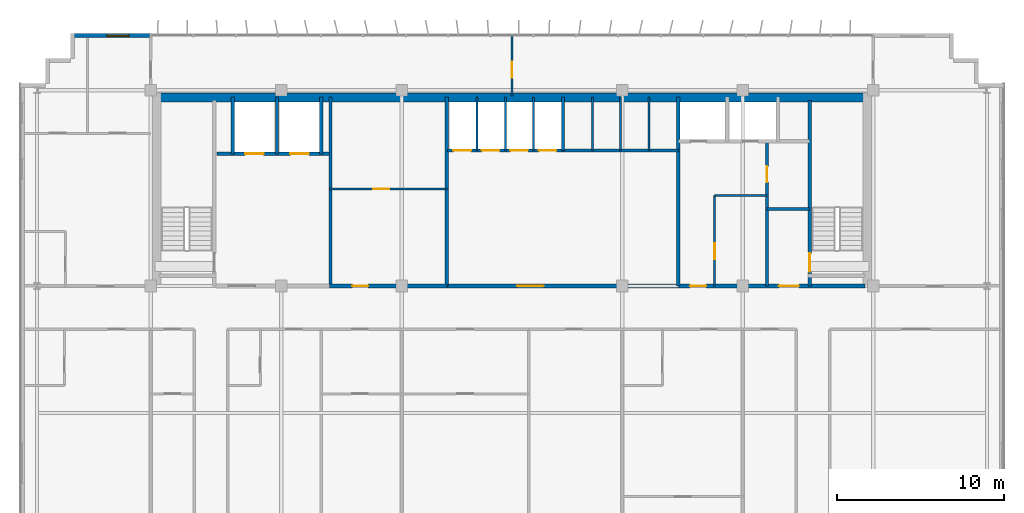
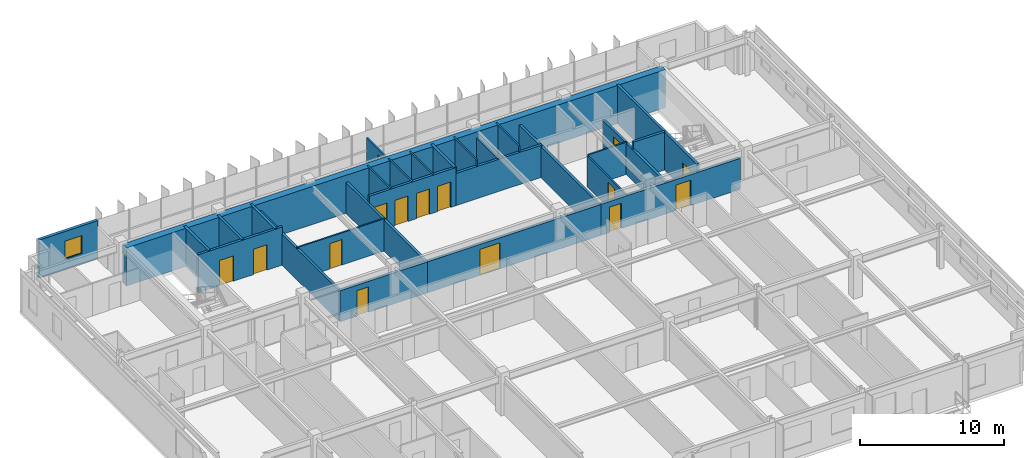
# One storey, part 21 of 24: 28 walls, 15 doors, 1 window, 16 openings.
"""IFC4 building model written with IfcOpenShell, lengths in metres."""

from ifc_helpers import new_model, si_unit, direction, frame, frame_2d, origin, place, context, subcontext, project, spatial, rectangle, extrude, source, transform, mapped, material, layer, layer_set, type_object, element, fill, save


model = new_model("IFC4")

# Units and contexts
model_context = context("Model", 3, precision=1e-05, world=origin(), true_north=direction((0.0, 1.0)))
body_context = subcontext(model_context, "Body", "Model", "MODEL_VIEW")
ifc_project = project(units=[si_unit("LENGTHUNIT", "METRE"), si_unit("AREAUNIT", "SQUARE_METRE"), si_unit("VOLUMEUNIT", "CUBIC_METRE"), si_unit("PLANEANGLEUNIT", "RADIAN"), si_unit("MASSUNIT", "GRAM", prefix="KILO")], contexts=[model_context])

# Site, building, storey
site_placement = place(None, origin())
site = spatial("IfcSite", under=ifc_project, at=site_placement, CompositionType="ELEMENT")
building_placement = place(site_placement, origin())
building = spatial("IfcBuilding", under=site, at=building_placement, Name="Trelvane Seafront Commons", CompositionType="ELEMENT")
storey_placement = place(building_placement, frame((0.0, 0.0, 178.89990234375)))
storey = spatial("IfcBuildingStorey", under=building, at=storey_placement, Name="L47", CompositionType="ELEMENT", Elevation=178.89990234375)

# Wall, opening, window
ifc_material_1 = material(Name="Precast concrete C40/50", Category="concrete")
ifc_layer_1 = layer(ifc_material_1, 0.239990234375, Name="ARCH-WALL-EXT240")
ifc_layer_set_1 = layer_set([ifc_layer_1], Name="Precast concrete C40/50")
wall_type_1 = type_object("IfcWallType", Name="ARCH-WALL-EXT240", PredefinedType="SOLIDWALL", material=ifc_layer_set_1)
wall_1_placement = place(storey_placement, frame((10.89990234375, 48.3701171875, 0.0), z_axis=(0.0, 0.0, 1.0), x_axis=(1.0, 0.0, 0.0)))
wall_1 = element("IfcWall", 1, at=wall_1_placement, inside=storey, type_object=wall_type_1, Name="EW-L47-NW-0933", PredefinedType="SOLIDWALL", context=body_context, shape_type="SweptSolid", body=[
    extrude(rectangle(XDim=4.7001953125, YDim=0.239990234375, at=frame_2d((2.35009765625, 0.0))), origin(), (0.0, 0.0, 1.0), 3.22021484375),
])
opening_1_placement = place(wall_1_placement, frame((2.056884765625, 0.0, 0.89990234375)))
opening_1 = element("IfcOpeningElement", 2, at=opening_1_placement, cuts=wall_1, Name="Opening W09", PredefinedType="OPENING", context=body_context, shape_type="SweptSolid", body=[
    extrude(rectangle(XDim=1.35009765625, YDim=1.5, at=frame_2d((0.675048828125, 0.75))), frame((0.0, 0.1298828125, 0.0), z_axis=(0.0, -1.0, 0.0), x_axis=(1.0, 0.0, 0.0)), (0.0, 0.0, 1.0), 0.260009765625),
])
ifc_material_2 = material(Name="Low-E coastal double glazing", Category="glass")
window_type = type_object("IfcWindowType", Name="ARCH-WIN-W09", PartitioningType="SINGLE_PANEL", PredefinedType="WINDOW", material=ifc_material_2)
shared_shape_1 = source(origin(), body_context, "Body", "SweptSolid", [
    extrude(rectangle(XDim=1.35009765625, YDim=1.5, at=frame_2d((0.675048828125, 0.75))), frame((0.0, 0.030029296875, 0.0), z_axis=(0.0, -1.0, 0.0), x_axis=(1.0, 0.0, 0.0)), (0.0, 0.0, 1.0), 0.06005859375),
])
window_placement = place(opening_1_placement, origin())
window = element("IfcWindow", 3, at=window_placement, inside=storey, type_object=window_type, Name="WIN-L47-01112", OverallHeight=1.5, OverallWidth=1.35009765625, PartitioningType="SINGLE_PANEL", PredefinedType="WINDOW", context=body_context, shape_type="MappedRepresentation", body=[
    mapped(shared_shape_1, transform((0.0, 0.0, 0.0), x_axis=(1.0, 0.0, 0.0), y_axis=(0.0, 1.0, 0.0), z_axis=(0.0, 0.0, 1.0), scale=1.0)),
])
fill(opening_1, window)

# Wall, opening, door
ifc_material_3 = material(Name="Concrete C40/50", Category="concrete")
ifc_layer_2 = layer(ifc_material_3, 0.199951171875, Name="ARCH-WALL-FIRE200")
ifc_layer_set_2 = layer_set([ifc_layer_2], Name="Concrete C40/50")
wall_type_2 = type_object("IfcWallType", Name="ARCH-WALL-FIRE200", PredefinedType="PARTITIONING", material=ifc_layer_set_2)
wall_2_placement = place(storey_placement, frame((52.449951171875, 33.39990234375, 0.0), z_axis=(0.0, 0.0, 1.0), x_axis=(0.0, 1.0, 0.0)))
wall_2 = element("IfcWall", 4, at=wall_2_placement, inside=storey, type_object=wall_type_2, Name="W-L47-ST2V-W-031", PredefinedType="PARTITIONING", context=body_context, shape_type="SweptSolid", body=[
    extrude(rectangle(XDim=8.650146484375, YDim=0.199951171875, at=frame_2d((4.3251953125, 0.0))), origin(), (0.0, 0.0, 1.0), 2.6201171875),
])
opening_2_placement = place(wall_2_placement, frame((6.199951171875, 0.0, 0.0)))
opening_2 = element("IfcOpeningElement", 5, at=opening_2_placement, cuts=wall_2, Name="Opening FD-L47-15", PredefinedType="OPENING", context=body_context, shape_type="SweptSolid", body=[
    extrude(rectangle(XDim=0.949951171875, YDim=2.14990234375, at=frame_2d((0.47509765625, 1.074951171875))), frame((0.0, 0.10986328125, 0.0), z_axis=(0.0, -1.0, 0.0), x_axis=(1.0, 0.0, 0.0)), (0.0, 0.0, 1.0), 0.219970703125),
])
ifc_material_4 = material(Name="Powder-coated aluminium frame", Category="aluminium")
door_type_1 = type_object("IfcDoorType", Name="ARCH-DR-FD60-950", OperationType="NOTDEFINED", PredefinedType="DOOR", material=ifc_material_4)
shared_shape_2 = source(origin(), body_context, "Body", "SweptSolid", [
    extrude(rectangle(XDim=0.949951171875, YDim=2.14990234375, at=frame_2d((0.47509765625, 1.074951171875))), frame((0.0, 0.02490234375, 0.0), z_axis=(0.0, -1.0, 0.0), x_axis=(1.0, 0.0, 0.0)), (0.0, 0.0, 1.0), 0.050048828125),
])
door_1_placement = place(opening_2_placement, origin())
door_1 = element("IfcDoor", 6, at=door_1_placement, inside=storey, type_object=door_type_1, Name="L47 Cleaner Store Door", OperationType="SINGLE_SWING_LEFT", OverallHeight=2.14990234375, OverallWidth=0.949951171875, PredefinedType="DOOR", context=body_context, shape_type="MappedRepresentation", body=[
    mapped(shared_shape_2, transform((0.0, 0.0, 0.0), x_axis=(1.0, 0.0, 0.0), y_axis=(0.0, 1.0, 0.0), z_axis=(0.0, 0.0, 1.0), scale=1.0)),
])
fill(opening_2, door_1)

# Wall
wall_3_placement = place(storey_placement, frame((52.449951171875, 38.0, 0.0), z_axis=(0.0, 0.0, 1.0), x_axis=(1.0, 0.0, 0.0)))
element("IfcWall", 7, at=wall_3_placement, inside=storey, type_object=wall_type_2, Name="W-L47-ST2V-N-032", PredefinedType="PARTITIONING", context=body_context, shape_type="SweptSolid", body=[
    extrude(rectangle(XDim=2.550048828125, YDim=0.199951171875, at=frame_2d((1.27490234375, 0.0))), origin(), (0.0, 0.0, 1.0), 3.22021484375),
])

# Wall, opening, door
ifc_layer_3 = layer(ifc_material_3, 0.25, Name="ARCH-WALL-FIRE250")
ifc_layer_set_3 = layer_set([ifc_layer_3], Name="Concrete C40/50")
wall_type_3 = type_object("IfcWallType", Name="ARCH-WALL-FIRE250", PredefinedType="PARTITIONING", material=ifc_layer_set_3)
wall_4_placement = place(storey_placement, frame((26.300048828125, 33.39990234375, 0.0), z_axis=(0.0, 0.0, 1.0), x_axis=(1.0, 0.0, 0.0)))
wall_4 = element("IfcWall", 8, at=wall_4_placement, inside=storey, type_object=wall_type_3, Name="W-L47-CS-FPL-026", PredefinedType="PARTITIONING", context=body_context, shape_type="SweptSolid", body=[
    extrude(rectangle(XDim=7.0, YDim=0.25, at=frame_2d((3.5, 0.0))), origin(), (0.0, 0.0, 1.0), 2.6201171875),
])
opening_3_placement = place(wall_4_placement, frame((1.35009765625, 0.0, 0.0)))
opening_3 = element("IfcOpeningElement", 9, at=opening_3_placement, cuts=wall_4, Name="Opening D-L47-11", PredefinedType="OPENING", context=body_context, shape_type="SweptSolid", body=[
    extrude(rectangle(XDim=0.949951171875, YDim=2.14990234375, at=frame_2d((0.47509765625, 1.074951171875))), frame((0.0, 0.135009765625, 0.0), z_axis=(0.0, -1.0, 0.0), x_axis=(1.0, 0.0, 0.0)), (0.0, 0.0, 1.0), 0.27001953125),
])
ifc_material_5 = material(Name="Acoustic timber door leaf", Category="wood")
door_type_2 = type_object("IfcDoorType", Name="ARCH-DR-INT950", OperationType="NOTDEFINED", PredefinedType="DOOR", material=ifc_material_5)
door_2_placement = place(opening_3_placement, origin())
door_2 = element("IfcDoor", 10, at=door_2_placement, inside=storey, type_object=door_type_2, Name="L47 Floor Pantry Entrance Door", OperationType="SINGLE_SWING_LEFT", OverallHeight=2.14990234375, OverallWidth=0.949951171875, PredefinedType="DOOR", context=body_context, shape_type="MappedRepresentation", body=[
    mapped(shared_shape_2, transform((0.0, 0.0, 0.0), x_axis=(1.0, 0.0, 0.0), y_axis=(0.0, 1.0, 0.0), z_axis=(0.0, 0.0, 1.0), scale=1.0)),
])
fill(opening_3, door_2)

wall_5_placement = place(storey_placement, frame((33.300048828125, 33.39990234375, 0.0), z_axis=(0.0, 0.0, 1.0), x_axis=(1.0, 0.0, 0.0)))
wall_5 = element("IfcWall", 11, at=wall_5_placement, inside=storey, type_object=wall_type_3, Name="W-L47-CS-PAX-027", PredefinedType="PARTITIONING", context=body_context, shape_type="SweptSolid", body=[
    extrude(rectangle(XDim=13.849853515625, YDim=0.25, at=frame_2d((6.9248046875, 0.0))), origin(), (0.0, 0.0, 1.0), 2.6201171875),
])
opening_4_placement = place(wall_5_placement, frame((4.199951171875, 0.0, 0.0)))
opening_4 = element("IfcOpeningElement", 12, at=opening_4_placement, cuts=wall_5, Name="Opening FD-L47-12", PredefinedType="OPENING", context=body_context, shape_type="SweptSolid", body=[
    extrude(rectangle(XDim=1.60009765625, YDim=2.199951171875, at=frame_2d((0.800048828125, 1.10009765625))), frame((0.0, 0.135009765625, 0.0), z_axis=(0.0, -1.0, 0.0), x_axis=(1.0, 0.0, 0.0)), (0.0, 0.0, 1.0), 0.27001953125),
])
door_type_3 = type_object("IfcDoorType", Name="ARCH-DR-FD60-1600", OperationType="DOUBLE_DOOR_SINGLE_SWING", PredefinedType="DOOR", material=ifc_material_4)
shared_shape_3 = source(origin(), body_context, "Body", "SweptSolid", [
    extrude(rectangle(XDim=1.60009765625, YDim=2.199951171875, at=frame_2d((0.800048828125, 1.10009765625))), frame((0.0, 0.02490234375, 0.0), z_axis=(0.0, -1.0, 0.0), x_axis=(1.0, 0.0, 0.0)), (0.0, 0.0, 1.0), 0.050048828125),
])
door_3_placement = place(opening_4_placement, origin())
door_3 = element("IfcDoor", 13, at=door_3_placement, inside=storey, type_object=door_type_3, Name="L47 Passenger Lift Lobby Double Door", OperationType="DOUBLE_DOOR_SINGLE_SWING", OverallHeight=2.199951171875, OverallWidth=1.60009765625, PredefinedType="DOOR", context=body_context, shape_type="MappedRepresentation", body=[
    mapped(shared_shape_3, transform((0.0, 0.0, 0.0), x_axis=(1.0, 0.0, 0.0), y_axis=(0.0, 1.0, 0.0), z_axis=(0.0, 0.0, 1.0), scale=1.0)),
])
fill(opening_4, door_3)

# Wall, openings, doors
wall_6_placement = place(storey_placement, frame((47.14990234375, 33.39990234375, 0.0), z_axis=(0.0, 0.0, 1.0), x_axis=(1.0, 0.0, 0.0)))
wall_6 = element("IfcWall", 14, at=wall_6_placement, inside=storey, type_object=wall_type_3, Name="W-L47-CS-EAST-035", PredefinedType="PARTITIONING", context=body_context, shape_type="SweptSolid", body=[
    extrude(rectangle(XDim=11.150146484375, YDim=0.25, at=frame_2d((5.5751953125, 0.0))), origin(), (0.0, 0.0, 1.0), 2.6201171875),
])
opening_5_placement = place(wall_6_placement, frame((0.699951171875, 0.0, 0.0)))
opening_5 = element("IfcOpeningElement", 15, at=opening_5_placement, cuts=wall_6, Name="Opening FD-L47-17", PredefinedType="OPENING", context=body_context, shape_type="SweptSolid", body=[
    extrude(rectangle(XDim=0.949951171875, YDim=2.14990234375, at=frame_2d((0.47509765625, 1.074951171875))), frame((0.0, 0.135009765625, 0.0), z_axis=(0.0, -1.0, 0.0), x_axis=(1.0, 0.0, 0.0)), (0.0, 0.0, 1.0), 0.27001953125),
])
opening_6_placement = place(wall_6_placement, frame((6.0, 0.0, 0.0)))
opening_6 = element("IfcOpeningElement", 16, at=opening_6_placement, cuts=wall_6, Name="Opening FD-L47-18", PredefinedType="OPENING", context=body_context, shape_type="SweptSolid", body=[
    extrude(rectangle(XDim=1.199951171875, YDim=2.14990234375, at=frame_2d((0.60009765625, 1.074951171875))), frame((0.0, 0.135009765625, 0.0), z_axis=(0.0, -1.0, 0.0), x_axis=(1.0, 0.0, 0.0)), (0.0, 0.0, 1.0), 0.27001953125),
])
door_4_placement = place(opening_5_placement, origin())
door_4 = element("IfcDoor", 17, at=door_4_placement, inside=storey, type_object=door_type_1, Name="L47 Core Service Lobby Door", OperationType="SINGLE_SWING_LEFT", OverallHeight=2.14990234375, OverallWidth=0.949951171875, PredefinedType="DOOR", context=body_context, shape_type="MappedRepresentation", body=[
    mapped(shared_shape_2, transform((0.0, 0.0, 0.0), x_axis=(1.0, 0.0, 0.0), y_axis=(0.0, 1.0, 0.0), z_axis=(0.0, 0.0, 1.0), scale=1.0)),
])
fill(opening_5, door_4)
door_type_4 = type_object("IfcDoorType", Name="ARCH-DR-FD60-1200", OperationType="NOTDEFINED", PredefinedType="DOOR", material=ifc_material_4)
shared_shape_4 = source(origin(), body_context, "Body", "SweptSolid", [
    extrude(rectangle(XDim=1.199951171875, YDim=2.14990234375, at=frame_2d((0.60009765625, 1.074951171875))), frame((0.0, 0.02490234375, 0.0), z_axis=(0.0, -1.0, 0.0), x_axis=(1.0, 0.0, 0.0)), (0.0, 0.0, 1.0), 0.050048828125),
])
door_5_placement = place(opening_6_placement, origin())
door_5 = element("IfcDoor", 18, at=door_5_placement, inside=storey, type_object=door_type_4, Name="L47 East Stair Vestibule Fire Door", OperationType="SINGLE_SWING_RIGHT", OverallHeight=2.14990234375, OverallWidth=1.199951171875, PredefinedType="DOOR", context=body_context, shape_type="MappedRepresentation", body=[
    mapped(shared_shape_4, transform((0.0, 0.0, 0.0), x_axis=(1.0, 0.0, 0.0), y_axis=(0.0, 1.0, 0.0), z_axis=(0.0, 0.0, 1.0), scale=1.0)),
])
fill(opening_6, door_5)

# Wall, opening, door
ifc_material_6 = material(Name="Gypsum Drywall Acoustic Partition")
ifc_layer_4 = layer(ifc_material_6, 0.1201171875, Name="ARCH-WALL-PART120")
ifc_layer_set_4 = layer_set([ifc_layer_4], Name="Gypsum Drywall Acoustic Partition")
wall_type_4 = type_object("IfcWallType", Name="ARCH-WALL-PART120", PredefinedType="PARTITIONING", material=ifc_layer_set_4)
wall_7_placement = place(storey_placement, frame((26.300048828125, 39.199951171875, 0.0), z_axis=(0.0, 0.0, 1.0), x_axis=(1.0, 0.0, 0.0)))
wall_7 = element("IfcWall", 19, at=wall_7_placement, inside=storey, type_object=wall_type_4, Name="W-L47-FREED-PL-MID-014", PredefinedType="PARTITIONING", context=body_context, shape_type="SweptSolid", body=[
    extrude(rectangle(XDim=7.0, YDim=0.1201171875, at=frame_2d((3.5, 0.0))), origin(), (0.0, 0.0, 1.0), 2.72021484375),
])
opening_7_placement = place(wall_7_placement, frame((2.60009765625, 0.0, 0.0)))
opening_7 = element("IfcOpeningElement", 20, at=opening_7_placement, cuts=wall_7, Name="Opening D-L47-06", PredefinedType="OPENING", context=body_context, shape_type="SweptSolid", body=[
    extrude(rectangle(XDim=0.949951171875, YDim=2.14990234375, at=frame_2d((0.47509765625, 1.074951171875))), frame((0.0, 0.070068359375, 0.0), z_axis=(0.0, -1.0, 0.0), x_axis=(1.0, 0.0, 0.0)), (0.0, 0.0, 1.0), 0.14013671875),
])
door_6_placement = place(opening_7_placement, origin())
door_6 = element("IfcDoor", 21, at=door_6_placement, inside=storey, type_object=door_type_2, Name="L47 Housekeeping Store Door", OperationType="SINGLE_SWING_RIGHT", OverallHeight=2.14990234375, OverallWidth=0.949951171875, PredefinedType="DOOR", context=body_context, shape_type="MappedRepresentation", body=[
    mapped(shared_shape_2, transform((0.0, 0.0, 0.0), x_axis=(1.0, 0.0, 0.0), y_axis=(0.0, 1.0, 0.0), z_axis=(0.0, 0.0, 1.0), scale=1.0)),
])
fill(opening_7, door_6)

# Walls
for number, where, z_axis, x_axis, name in (
    (22, (35.10009765625, 41.5, 0.0), (0.0, 0.0, 1.0), (0.0, 1.0, 0.0), "W-L47-PM-DIV1-017"),
    (23, (36.800048828125, 41.5, 0.0), (0.0, 0.0, 1.0), (0.0, 1.0, 0.0), "W-L47-PM-DIV2-018"),
    (24, (38.5, 41.5, 0.0), (0.0, 0.0, 1.0), (0.0, 1.0, 0.0), "W-L47-PM-DIV3-019"),
    (25, (42.0, 41.5, 0.0), (0.0, 0.0, 1.0), (0.0, 1.0, 0.0), "W-L47-PH-DIV1-022"),
):
    element("IfcWall", number, at=place(storey_placement, frame(where, z_axis=z_axis, x_axis=x_axis)), inside=storey, type_object=wall_type_4, Name=name, PredefinedType="PARTITIONING", context=body_context, shape_type="SweptSolid", body=[
        extrude(rectangle(XDim=3.199951171875, YDim=0.1201171875, at=frame_2d((1.60009765625, 0.0))), origin(), (0.0, 0.0, 1.0), 3.22021484375),
    ])
wall_8_placement = place(storey_placement, frame((43.699951171875, 41.5, 0.0), z_axis=(0.0, 0.0, 1.0), x_axis=(0.0, 1.0, 0.0)))
element("IfcWall", 26, at=wall_8_placement, inside=storey, type_object=wall_type_4, Name="W-L47-PH-DIV2-023", PredefinedType="PARTITIONING", context=body_context, shape_type="SweptSolid", body=[
    extrude(rectangle(XDim=3.199951171875, YDim=0.1201171875, at=frame_2d((1.60009765625, 0.0))), origin(), (0.0, 0.0, 1.0), 2.72021484375),
])
wall_9_placement = place(storey_placement, frame((45.39990234375, 41.5, 0.0), z_axis=(0.0, 0.0, 1.0), x_axis=(0.0, 1.0, 0.0)))
element("IfcWall", 27, at=wall_9_placement, inside=storey, type_object=wall_type_4, Name="W-L47-PH-DIV3-024", PredefinedType="PARTITIONING", context=body_context, shape_type="SweptSolid", body=[
    extrude(rectangle(XDim=3.199951171875, YDim=0.1201171875, at=frame_2d((1.60009765625, 0.0))), origin(), (0.0, 0.0, 1.0), 3.22021484375),
])

# Wall, opening, door
wall_10_placement = place(storey_placement, frame((49.320068359375, 33.39990234375, 0.0), z_axis=(0.0, 0.0, 1.0), x_axis=(0.0, 1.0, 0.0)))
wall_10 = element("IfcWall", 28, at=wall_10_placement, inside=storey, type_object=wall_type_4, Name="W-L47-CYC2-V-033", PredefinedType="PARTITIONING", context=body_context, shape_type="SweptSolid", body=[
    extrude(rectangle(XDim=5.420166015625, YDim=0.1201171875, at=frame_2d((2.7099609375, 0.0))), origin(), (0.0, 0.0, 1.0), 2.6201171875),
])
opening_8_placement = place(wall_10_placement, frame((1.60009765625, 0.0, 0.0)))
opening_8 = element("IfcOpeningElement", 29, at=opening_8_placement, cuts=wall_10, Name="Opening D-L47-16", PredefinedType="OPENING", context=body_context, shape_type="SweptSolid", body=[
    extrude(rectangle(XDim=0.949951171875, YDim=2.14990234375, at=frame_2d((0.47509765625, 1.074951171875))), frame((0.0, 0.070068359375, 0.0), z_axis=(0.0, -1.0, 0.0), x_axis=(1.0, 0.0, 0.0)), (0.0, 0.0, 1.0), 0.14013671875),
])
door_7_placement = place(opening_8_placement, origin())
door_7 = element("IfcDoor", 30, at=door_7_placement, inside=storey, type_object=door_type_2, Name="L47 Accessible WC Door", OperationType="SINGLE_SWING_RIGHT", OverallHeight=2.14990234375, OverallWidth=0.949951171875, PredefinedType="DOOR", context=body_context, shape_type="MappedRepresentation", body=[
    mapped(shared_shape_2, transform((0.0, 0.0, 0.0), x_axis=(1.0, 0.0, 0.0), y_axis=(0.0, 1.0, 0.0), z_axis=(0.0, 0.0, 1.0), scale=1.0)),
])
fill(opening_8, door_7)

# Wall
wall_11_placement = place(storey_placement, frame((49.320068359375, 38.820068359375, 0.0), z_axis=(0.0, 0.0, 1.0), x_axis=(1.0, 0.0, 0.0)))
element("IfcWall", 31, at=wall_11_placement, inside=storey, type_object=wall_type_4, Name="W-L47-CYC2-H-034", PredefinedType="PARTITIONING", context=body_context, shape_type="SweptSolid", body=[
    extrude(rectangle(XDim=3.1298828125, YDim=0.1201171875, at=frame_2d((1.56494140625, 0.0))), origin(), (0.0, 0.0, 1.0), 2.72021484375),
])

# Wall, opening, door
wall_12_placement = place(storey_placement, frame((37.199951171875, 44.75, 0.0), z_axis=(0.0, 0.0, 1.0), x_axis=(0.0, 1.0, 0.0)))
wall_12 = element("IfcWall", 32, at=wall_12_placement, inside=storey, type_object=wall_type_4, Name="W-L47-N-MID-DV-043", PredefinedType="PARTITIONING", context=body_context, shape_type="SweptSolid", body=[
    extrude(rectangle(XDim=3.610107421875, YDim=0.1201171875, at=frame_2d((1.80517578125, 0.0))), origin(), (0.0, 0.0, 1.0), 2.6201171875),
])
opening_9_placement = place(wall_12_placement, frame((1.10009765625, 0.0, 0.0)))
opening_9 = element("IfcOpeningElement", 33, at=opening_9_placement, cuts=wall_12, Name="Opening D-L47-24", PredefinedType="OPENING", context=body_context, shape_type="SweptSolid", body=[
    extrude(rectangle(XDim=0.949951171875, YDim=2.14990234375, at=frame_2d((0.47509765625, 1.074951171875))), frame((0.0, 0.070068359375, 0.0), z_axis=(0.0, -1.0, 0.0), x_axis=(1.0, 0.0, 0.0)), (0.0, 0.0, 1.0), 0.14013671875),
])
door_8_placement = place(opening_9_placement, origin())
door_8 = element("IfcDoor", 34, at=door_8_placement, inside=storey, type_object=door_type_2, Name="L47 Door 24", OperationType="SINGLE_SWING_RIGHT", OverallHeight=2.14990234375, OverallWidth=0.949951171875, PredefinedType="DOOR", context=body_context, shape_type="MappedRepresentation", body=[
    mapped(shared_shape_2, transform((0.0, 0.0, 0.0), x_axis=(1.0, 0.0, 0.0), y_axis=(0.0, 1.0, 0.0), z_axis=(0.0, 0.0, 1.0), scale=1.0)),
])
fill(opening_9, door_8)

# Wall, openings, doors
ifc_layer_5 = layer(ifc_material_3, 0.199951171875, Name="ARCH-WALL-SHAFT200")
ifc_layer_set_5 = layer_set([ifc_layer_5], Name="Concrete C40/50")
wall_type_5 = type_object("IfcWallType", Name="ARCH-WALL-SHAFT200", PredefinedType="SOLIDWALL", material=ifc_layer_set_5)
wall_13_placement = place(storey_placement, frame((19.550048828125, 41.300048828125, 0.0), z_axis=(0.0, 0.0, 1.0), x_axis=(1.0, 0.0, 0.0)))
wall_13 = element("IfcWall", 35, at=wall_13_placement, inside=storey, type_object=wall_type_5, Name="W-L47-FFL-FRONT-008", PredefinedType="SOLIDWALL", context=body_context, shape_type="SweptSolid", body=[
    extrude(rectangle(XDim=6.75, YDim=0.199951171875, at=frame_2d((3.375, 0.0))), origin(), (0.0, 0.0, 1.0), 3.22021484375),
])
opening_10_placement = place(wall_13_placement, frame((1.699951171875, 0.0, 0.0)))
opening_10 = element("IfcOpeningElement", 36, at=opening_10_placement, cuts=wall_13, Name="Opening LD-FF1-L47", PredefinedType="OPENING", context=body_context, shape_type="SweptSolid", body=[
    extrude(rectangle(XDim=1.10009765625, YDim=2.14990234375, at=frame_2d((0.550048828125, 1.074951171875))), frame((0.0, 0.10986328125, 0.0), z_axis=(0.0, -1.0, 0.0), x_axis=(1.0, 0.0, 0.0)), (0.0, 0.0, 1.0), 0.219970703125),
])
opening_11_placement = place(wall_13_placement, frame((4.39990234375, 0.0, 0.0)))
opening_11 = element("IfcOpeningElement", 37, at=opening_11_placement, cuts=wall_13, Name="Opening LD-FF2-L47", PredefinedType="OPENING", context=body_context, shape_type="SweptSolid", body=[
    extrude(rectangle(XDim=1.10009765625, YDim=2.14990234375, at=frame_2d((0.550048828125, 1.074951171875))), frame((0.0, 0.10986328125, 0.0), z_axis=(0.0, -1.0, 0.0), x_axis=(1.0, 0.0, 0.0)), (0.0, 0.0, 1.0), 0.219970703125),
])
ifc_material_7 = material(Name="Stainless steel balustrade", Category="steel")
door_type_5 = type_object("IfcDoorType", Name="ARCH-DR-LD1100", OperationType="DOUBLE_DOOR_SLIDING", PredefinedType="DOOR", material=ifc_material_7)
shared_shape_5 = source(origin(), body_context, "Body", "SweptSolid", [
    extrude(rectangle(XDim=1.10009765625, YDim=2.14990234375, at=frame_2d((0.550048828125, 1.074951171875))), frame((0.0, 0.02490234375, 0.0), z_axis=(0.0, -1.0, 0.0), x_axis=(1.0, 0.0, 0.0)), (0.0, 0.0, 1.0), 0.050048828125),
])
door_9_placement = place(opening_10_placement, origin())
door_9 = element("IfcDoor", 38, at=door_9_placement, inside=storey, type_object=door_type_5, Name="L47 Firefighting Lift FFL-1 Landing Door", OperationType="DOUBLE_DOOR_SLIDING", OverallHeight=2.14990234375, OverallWidth=1.10009765625, PredefinedType="DOOR", context=body_context, shape_type="MappedRepresentation", body=[
    mapped(shared_shape_5, transform((0.0, 0.0, 0.0), x_axis=(1.0, 0.0, 0.0), y_axis=(0.0, 1.0, 0.0), z_axis=(0.0, 0.0, 1.0), scale=1.0)),
])
fill(opening_10, door_9)
door_10_placement = place(opening_11_placement, origin())
door_10 = element("IfcDoor", 39, at=door_10_placement, inside=storey, type_object=door_type_5, Name="L47 Firefighting Lift FFL-2 Landing Door", OperationType="DOUBLE_DOOR_SLIDING", OverallHeight=2.14990234375, OverallWidth=1.10009765625, PredefinedType="DOOR", context=body_context, shape_type="MappedRepresentation", body=[
    mapped(shared_shape_5, transform((0.0, 0.0, 0.0), x_axis=(1.0, 0.0, 0.0), y_axis=(0.0, 1.0, 0.0), z_axis=(0.0, 0.0, 1.0), scale=1.0)),
])
fill(opening_11, door_10)

# Walls
for number, where, z_axis, x_axis, name in (
    (40, (20.5, 41.300048828125, 0.0), (0.0, 0.0, 1.0), (0.0, 1.0, 0.0), "W-L47-FFL-SH-W-009"),
    (41, (23.14990234375, 41.300048828125, 0.0), (0.0, 0.0, 1.0), (0.0, 1.0, 0.0), "W-L47-FFL-DIV-010"),
    (42, (25.800048828125, 41.300048828125, 0.0), (0.0, 0.0, 1.0), (0.0, 1.0, 0.0), "W-L47-FFL-SH-E-011"),
):
    element("IfcWall", number, at=place(storey_placement, frame(where, z_axis=z_axis, x_axis=x_axis)), inside=storey, type_object=wall_type_5, Name=name, PredefinedType="SOLIDWALL", context=body_context, shape_type="SweptSolid", body=[
        extrude(rectangle(XDim=3.39990234375, YDim=0.199951171875, at=frame_2d((1.699951171875, 0.0))), origin(), (0.0, 0.0, 1.0), 3.22021484375),
    ])
for number, where, z_axis, x_axis, name in (
    (43, (26.35009765625, 33.39990234375, 0.0), (0.0, 0.0, 1.0), (0.0, 1.0, 0.0), "W-L47-FFL-EAST-012"),
    (44, (33.300048828125, 33.39990234375, 0.0), (0.0, 0.0, 1.0), (0.0, 1.0, 0.0), "W-L47-FREED-PL-E-015"),
):
    element("IfcWall", number, at=place(storey_placement, frame(where, z_axis=z_axis, x_axis=x_axis)), inside=storey, type_object=wall_type_5, Name=name, PredefinedType="SOLIDWALL", context=body_context, shape_type="SweptSolid", body=[
        extrude(rectangle(XDim=11.300048828125, YDim=0.199951171875, at=frame_2d((5.64990234375, 0.0))), origin(), (0.0, 0.0, 1.0), 2.6201171875),
    ])

# Wall, openings, doors
wall_14_placement = place(storey_placement, frame((33.35009765625, 41.5, 0.0), z_axis=(0.0, 0.0, 1.0), x_axis=(1.0, 0.0, 0.0)))
wall_14 = element("IfcWall", 45, at=wall_14_placement, inside=storey, type_object=wall_type_5, Name="W-L47-PM-FRONT-016", PredefinedType="SOLIDWALL", context=body_context, shape_type="SweptSolid", body=[
    extrude(rectangle(XDim=6.89990234375, YDim=0.199951171875, at=frame_2d((3.449951171875, 0.0))), origin(), (0.0, 0.0, 1.0), 3.22021484375),
])
opening_12_placement = place(wall_14_placement, frame((0.35009765625, 0.0, 0.0)))
opening_12 = element("IfcOpeningElement", 46, at=opening_12_placement, cuts=wall_14, Name="Opening LD-PM1-L47", PredefinedType="OPENING", context=body_context, shape_type="SweptSolid", body=[
    extrude(rectangle(XDim=1.050048828125, YDim=2.14990234375, at=frame_2d((0.52490234375, 1.074951171875))), frame((0.0, 0.10986328125, 0.0), z_axis=(0.0, -1.0, 0.0), x_axis=(1.0, 0.0, 0.0)), (0.0, 0.0, 1.0), 0.219970703125),
])
opening_13_placement = place(wall_14_placement, frame((2.050048828125, 0.0, 0.0)))
opening_13 = element("IfcOpeningElement", 47, at=opening_13_placement, cuts=wall_14, Name="Opening LD-PM2-L47", PredefinedType="OPENING", context=body_context, shape_type="SweptSolid", body=[
    extrude(rectangle(XDim=1.050048828125, YDim=2.14990234375, at=frame_2d((0.52490234375, 1.074951171875))), frame((0.0, 0.10986328125, 0.0), z_axis=(0.0, -1.0, 0.0), x_axis=(1.0, 0.0, 0.0)), (0.0, 0.0, 1.0), 0.219970703125),
])
opening_14_placement = place(wall_14_placement, frame((3.75, 0.0, 0.0)))
opening_14 = element("IfcOpeningElement", 48, at=opening_14_placement, cuts=wall_14, Name="Opening LD-PM3-L47", PredefinedType="OPENING", context=body_context, shape_type="SweptSolid", body=[
    extrude(rectangle(XDim=1.050048828125, YDim=2.14990234375, at=frame_2d((0.52490234375, 1.074951171875))), frame((0.0, 0.10986328125, 0.0), z_axis=(0.0, -1.0, 0.0), x_axis=(1.0, 0.0, 0.0)), (0.0, 0.0, 1.0), 0.219970703125),
])
opening_15_placement = place(wall_14_placement, frame((5.449951171875, 0.0, 0.0)))
opening_15 = element("IfcOpeningElement", 49, at=opening_15_placement, cuts=wall_14, Name="Opening LD-PM4-L47", PredefinedType="OPENING", context=body_context, shape_type="SweptSolid", body=[
    extrude(rectangle(XDim=1.050048828125, YDim=2.14990234375, at=frame_2d((0.52490234375, 1.074951171875))), frame((0.0, 0.10986328125, 0.0), z_axis=(0.0, -1.0, 0.0), x_axis=(1.0, 0.0, 0.0)), (0.0, 0.0, 1.0), 0.219970703125),
])
door_type_6 = type_object("IfcDoorType", Name="ARCH-DR-LD1050", OperationType="DOUBLE_DOOR_SLIDING", PredefinedType="DOOR", material=ifc_material_7)
shared_shape_6 = source(origin(), body_context, "Body", "SweptSolid", [
    extrude(rectangle(XDim=1.050048828125, YDim=2.14990234375, at=frame_2d((0.52490234375, 1.074951171875))), frame((0.0, 0.02490234375, 0.0), z_axis=(0.0, -1.0, 0.0), x_axis=(1.0, 0.0, 0.0)), (0.0, 0.0, 1.0), 0.050048828125),
])
door_11_placement = place(opening_12_placement, origin())
door_11 = element("IfcDoor", 50, at=door_11_placement, inside=storey, type_object=door_type_6, Name="L47 Passenger Lift PM-1 Landing Door", OperationType="DOUBLE_DOOR_SLIDING", OverallHeight=2.14990234375, OverallWidth=1.050048828125, PredefinedType="DOOR", context=body_context, shape_type="MappedRepresentation", body=[
    mapped(shared_shape_6, transform((0.0, 0.0, 0.0), x_axis=(1.0, 0.0, 0.0), y_axis=(0.0, 1.0, 0.0), z_axis=(0.0, 0.0, 1.0), scale=1.0)),
])
fill(opening_12, door_11)
door_12_placement = place(opening_13_placement, origin())
door_12 = element("IfcDoor", 51, at=door_12_placement, inside=storey, type_object=door_type_6, Name="L47 Passenger Lift PM-2 Landing Door", OperationType="DOUBLE_DOOR_SLIDING", OverallHeight=2.14990234375, OverallWidth=1.050048828125, PredefinedType="DOOR", context=body_context, shape_type="MappedRepresentation", body=[
    mapped(shared_shape_6, transform((0.0, 0.0, 0.0), x_axis=(1.0, 0.0, 0.0), y_axis=(0.0, 1.0, 0.0), z_axis=(0.0, 0.0, 1.0), scale=1.0)),
])
fill(opening_13, door_12)
door_13_placement = place(opening_14_placement, origin())
door_13 = element("IfcDoor", 52, at=door_13_placement, inside=storey, type_object=door_type_6, Name="L47 Passenger Lift PM-3 Landing Door", OperationType="DOUBLE_DOOR_SLIDING", OverallHeight=2.14990234375, OverallWidth=1.050048828125, PredefinedType="DOOR", context=body_context, shape_type="MappedRepresentation", body=[
    mapped(shared_shape_6, transform((0.0, 0.0, 0.0), x_axis=(1.0, 0.0, 0.0), y_axis=(0.0, 1.0, 0.0), z_axis=(0.0, 0.0, 1.0), scale=1.0)),
])
fill(opening_14, door_13)
door_14_placement = place(opening_15_placement, origin())
door_14 = element("IfcDoor", 53, at=door_14_placement, inside=storey, type_object=door_type_6, Name="L47 Passenger Lift PM-4 Landing Door", OperationType="DOUBLE_DOOR_SLIDING", OverallHeight=2.14990234375, OverallWidth=1.050048828125, PredefinedType="DOOR", context=body_context, shape_type="MappedRepresentation", body=[
    mapped(shared_shape_6, transform((0.0, 0.0, 0.0), x_axis=(1.0, 0.0, 0.0), y_axis=(0.0, 1.0, 0.0), z_axis=(0.0, 0.0, 1.0), scale=1.0)),
])
fill(opening_15, door_14)

# Walls
wall_15_placement = place(storey_placement, frame((40.25, 41.5, 0.0), z_axis=(0.0, 0.0, 1.0), x_axis=(1.0, 0.0, 0.0)))
element("IfcWall", 54, at=wall_15_placement, inside=storey, type_object=wall_type_5, Name="W-L47-PH-FRONT-020", PredefinedType="SOLIDWALL", context=body_context, shape_type="SweptSolid", body=[
    extrude(rectangle(XDim=6.89990234375, YDim=0.199951171875, at=frame_2d((3.449951171875, 0.0))), origin(), (0.0, 0.0, 1.0), 2.72021484375),
])
wall_16_placement = place(storey_placement, frame((40.25, 41.5, 0.0), z_axis=(0.0, 0.0, 1.0), x_axis=(0.0, 1.0, 0.0)))
element("IfcWall", 55, at=wall_16_placement, inside=storey, type_object=wall_type_5, Name="W-L47-PH-WEST-SH-021", PredefinedType="SOLIDWALL", context=body_context, shape_type="SweptSolid", body=[
    extrude(rectangle(XDim=3.199951171875, YDim=0.199951171875, at=frame_2d((1.60009765625, 0.0))), origin(), (0.0, 0.0, 1.0), 3.22021484375),
])
wall_17_placement = place(storey_placement, frame((47.14990234375, 33.39990234375, 0.0), z_axis=(0.0, 0.0, 1.0), x_axis=(0.0, 1.0, 0.0)))
element("IfcWall", 56, at=wall_17_placement, inside=storey, type_object=wall_type_5, Name="W-L47-PH-EAST-025", PredefinedType="SOLIDWALL", context=body_context, shape_type="SweptSolid", body=[
    extrude(rectangle(XDim=11.300048828125, YDim=0.199951171875, at=frame_2d((5.64990234375, 0.0))), origin(), (0.0, 0.0, 1.0), 2.6201171875),
])
ifc_material_8 = material(Name="Concrete C50/60", Category="concrete")
ifc_layer_6 = layer(ifc_material_8, 0.550048828125, Name="STR-WALL-CORE550")
ifc_layer_set_6 = layer_set([ifc_layer_6], Name="Concrete C50/60")
wall_type_6 = type_object("IfcWallType", Name="STR-WALL-CORE550", PredefinedType="SHEAR", material=ifc_layer_set_6)
wall_18_placement = place(storey_placement, frame((15.64990234375, 44.675048828125, 0.0), z_axis=(0.0, 0.0, 1.0), x_axis=(1.0, 0.0, 0.0)))
element("IfcWall", 57, at=wall_18_placement, inside=storey, type_object=wall_type_6, Name="W-L47-CN-ALL-001", PredefinedType="SHEAR", context=body_context, shape_type="SweptSolid", body=[
    extrude(rectangle(XDim=43.10009765625, YDim=0.550048828125, at=frame_2d((21.550048828125, 0.0))), origin(), (0.0, 0.0, 1.0), 3.22021484375),
])

# Wall, opening, door
ifc_layer_7 = layer(ifc_material_8, 0.199951171875, Name="STR-WALL-STAIR200")
ifc_layer_set_7 = layer_set([ifc_layer_7], Name="Concrete C50/60")
wall_type_7 = type_object("IfcWallType", Name="STR-WALL-STAIR200", PredefinedType="SHEAR", material=ifc_layer_set_7)
wall_19_placement = place(storey_placement, frame((55.0, 33.39990234375, 0.0), z_axis=(0.0, 0.0, 1.0), x_axis=(0.0, 1.0, 0.0)))
wall_19 = element("IfcWall", 58, at=wall_19_placement, inside=storey, type_object=wall_type_7, Name="W-L47-ST2-W-007", PredefinedType="SHEAR", context=body_context, shape_type="SweptSolid", body=[
    extrude(rectangle(XDim=11.10009765625, YDim=0.199951171875, at=frame_2d((5.550048828125, 0.0))), origin(), (0.0, 0.0, 1.0), 3.22021484375),
])
opening_16_placement = place(wall_19_placement, frame((0.85009765625, 0.0, 0.0)))
opening_16 = element("IfcOpeningElement", 59, at=opening_16_placement, cuts=wall_19, Name="Opening ST-D2-L47", PredefinedType="OPENING", context=body_context, shape_type="SweptSolid", body=[
    extrude(rectangle(XDim=1.10009765625, YDim=2.14990234375, at=frame_2d((0.550048828125, 1.074951171875))), frame((0.0, 0.10986328125, 0.0), z_axis=(0.0, -1.0, 0.0), x_axis=(1.0, 0.0, 0.0)), (0.0, 0.0, 1.0), 0.219970703125),
])
door_type_7 = type_object("IfcDoorType", Name="ARCH-DR-FD90-1100", OperationType="NOTDEFINED", PredefinedType="DOOR", material=ifc_material_4)
door_15_placement = place(opening_16_placement, origin())
door_15 = element("IfcDoor", 60, at=door_15_placement, inside=storey, type_object=door_type_7, Name="L47 Stair ST-2 Vestibule Fire Door", OperationType="SINGLE_SWING_RIGHT", OverallHeight=2.14990234375, OverallWidth=1.10009765625, PredefinedType="DOOR", context=body_context, shape_type="MappedRepresentation", body=[
    mapped(shared_shape_5, transform((0.0, 0.0, 0.0), x_axis=(1.0, 0.0, 0.0), y_axis=(0.0, 1.0, 0.0), z_axis=(0.0, 0.0, 1.0), scale=1.0)),
])
fill(opening_16, door_15)

save(model, "model.ifc")
